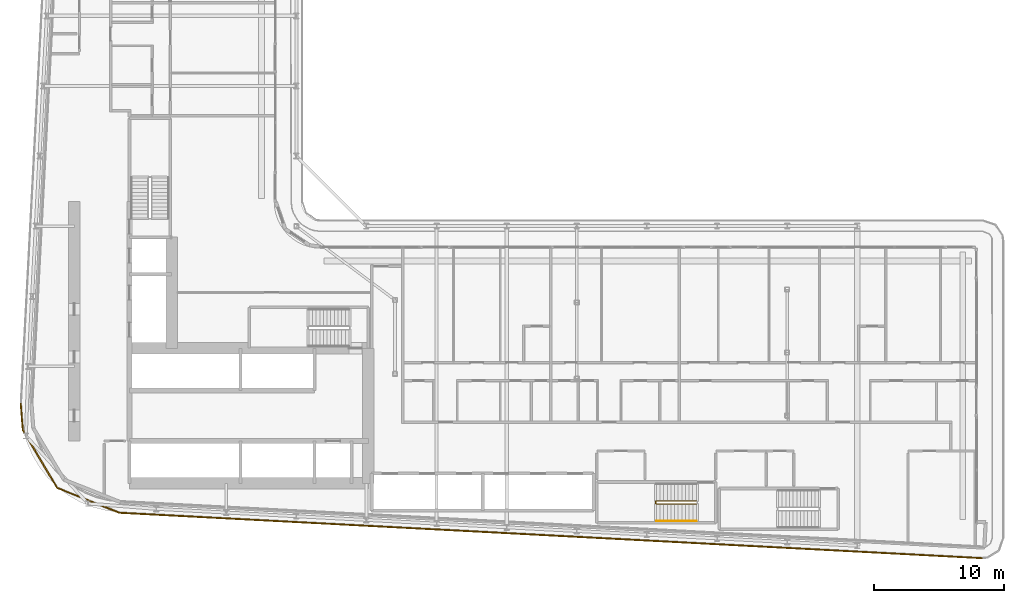
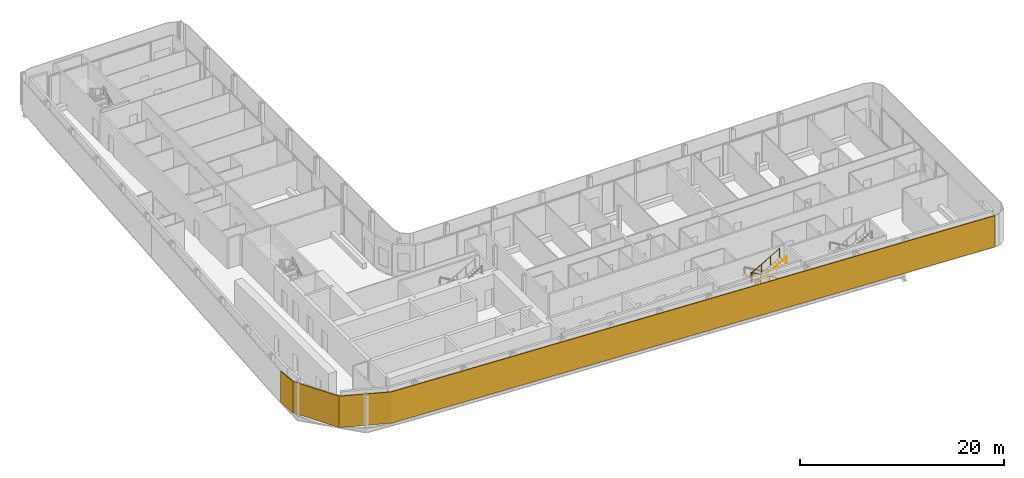
# One storey, part 23 of 27: 2 railings, 1 shading device.
"""IFC4 building model written with IfcOpenShell, lengths in metres."""

from ifc_helpers import new_model, si_unit, direction, frame, origin, origin_2d, place, context, subcontext, project, spatial, polyline, circle, outline, extrude, material, layer, layer_set, type_object, element, save


model = new_model("IFC4")

# Units and contexts
model_context = context("Model", 3, precision=1e-05, world=origin(), true_north=direction((0.0, 1.0)))
body_context = subcontext(model_context, "Body", "Model", "MODEL_VIEW")
ifc_project = project(units=[si_unit("LENGTHUNIT", "METRE"), si_unit("AREAUNIT", "SQUARE_METRE"), si_unit("VOLUMEUNIT", "CUBIC_METRE"), si_unit("PLANEANGLEUNIT", "RADIAN"), si_unit("MASSUNIT", "GRAM", prefix="KILO")], contexts=[model_context])

# Site, building, storey
site_placement = place(None, origin())
site = spatial("IfcSite", under=ifc_project, at=site_placement, CompositionType="ELEMENT")
building_placement = place(site_placement, origin())
building = spatial("IfcBuilding", under=site, at=building_placement, Name="Kheshtan School and Residences Tower", CompositionType="ELEMENT")
storey_placement = place(building_placement, frame((0.0, 0.0, 98.0)))
storey = spatial("IfcBuildingStorey", under=building, at=storey_placement, Name="L22", CompositionType="ELEMENT", Elevation=98.0)

# Shading device
ifc_material_1 = material(Name="Terracotta baguette, extruded ceramic", Category="masonry")
ifc_layer = layer(ifc_material_1, 0.10009765625)
ifc_layer_set = layer_set([ifc_layer], Name="Ledge screen, terracotta baguettes")
shading_device_type = type_object("IfcShadingDeviceType", Name="Ledge screen, terracotta baguettes", PredefinedType="USERDEFINED", material=ifc_layer_set)
shading_device_placement = place(storey_placement, origin())
element("IfcShadingDevice", 1, at=shading_device_placement, inside=storey, type_object=shading_device_type, Name="Screen L22 3", ObjectType="BAGUETTE", PredefinedType="USERDEFINED", context=body_context, shape_type="SweptSolid", body=[
    extrude(outline(polyline([(100.4208984375, 20.0830078125), (33.989013671875, 23.580078125), (29.2119140625, 25.486083984375), (26.583984375, 29.906982421875), (26.419921875, 31.989013671875), (26.320068359375, 31.98095703125), (26.486083984375, 29.8759765625), (29.14306640625, 25.406005859375), (33.967041015625, 23.48095703125), (100.416015625, 19.98291015625), (100.4208984375, 20.0830078125)])), origin(), (0.0, 0.0, 1.0), 3.75),
])

# Railings
ifc_material_2 = material(Name="Stainless steel balustrade", Category="steel")
railing_type_1 = type_object("IfcRailingType", Name="Stair guard 1100", PredefinedType="GUARDRAIL", material=ifc_material_2)
railing_1_placement = place(storey_placement, frame((78.409912109375, 24.449951171875, 0.16259765625)))
element("IfcRailing", 2, at=railing_1_placement, inside=storey, type_object=railing_type_1, Name="L22 ST5 stair guard 1", PredefinedType="GUARDRAIL", context=body_context, shape_type="SweptSolid", body=[
    extrude(circle(Radius=0.02392578125, at=origin_2d()), frame((0.0, 0.0, 1.076171875), z_axis=(-0.864903211148, 0.0, 0.501938676878), x_axis=(0.0, -1.0, 0.0)), (0.0, 0.0, 1.0), 3.560791015625),
    extrude(circle(Radius=0.02392578125, at=origin_2d()), frame((-3.079833984375, 0.0, 2.86328125), z_axis=(-0.707106781187, -0.707106781187, 0.0), x_axis=(0.707106781187, -0.707106781187, 0.0)), (0.0, 0.0, 1.0), 0.07080078125),
    extrude(circle(Radius=0.02392578125, at=origin_2d()), frame((-3.1298828125, -0.050048828125, 2.86328125), z_axis=(0.0, -1.0, 0.0), x_axis=(1.0, 0.0, 0.0)), (0.0, 0.0, 1.0), 0.14990234375),
    extrude(circle(Radius=0.02392578125, at=origin_2d()), frame((-3.1298828125, -0.199951171875, 2.86328125), z_axis=(0.282227285176, -0.282227285176, 0.916894497205), x_axis=(0.707106781187, 0.707106781187, 0.0)), (0.0, 0.0, 1.0), 0.17724609375),
    extrude(circle(Radius=0.02392578125, at=origin_2d()), frame((-3.079833984375, -0.25, 3.02587890625), z_axis=(0.864903211148, 0.0, 0.501938676878), x_axis=(0.0, 1.0, 0.0)), (0.0, 0.0, 1.0), 3.560791015625),
    extrude(circle(Radius=0.02099609375, at=origin_2d()), origin(), (0.0, 0.0, 1.0), 1.052001953125),
    extrude(circle(Radius=0.02099609375, at=origin_2d()), frame((-1.026611328125, 0.0, 0.595703125)), (0.0, 0.0, 1.0), 1.052001953125),
    extrude(circle(Radius=0.02099609375, at=origin_2d()), frame((-2.05322265625, 0.0, 1.191650390625)), (0.0, 0.0, 1.0), 1.052001953125),
    extrude(circle(Radius=0.02099609375, at=origin_2d()), frame((-3.079833984375, 0.0, 1.787353515625)), (0.0, 0.0, 1.0), 1.052001953125),
    extrude(circle(Radius=0.02099609375, at=origin_2d()), frame((-3.1298828125, -0.050048828125, 1.787353515625)), (0.0, 0.0, 1.0), 1.052001953125),
    extrude(circle(Radius=0.02099609375, at=origin_2d()), frame((-3.1298828125, -0.199951171875, 1.787353515625)), (0.0, 0.0, 1.0), 1.052001953125),
    extrude(circle(Radius=0.02099609375, at=origin_2d()), frame((-3.079833984375, -0.25, 1.949951171875)), (0.0, 0.0, 1.0), 1.052001953125),
    extrude(circle(Radius=0.02099609375, at=origin_2d()), frame((-2.05322265625, -0.25, 2.545654296875)), (0.0, 0.0, 1.0), 1.052001953125),
    extrude(circle(Radius=0.02099609375, at=origin_2d()), frame((-1.026611328125, -0.25, 3.1416015625)), (0.0, 0.0, 1.0), 1.052001953125),
    extrude(circle(Radius=0.02099609375, at=origin_2d()), frame((0.0, -0.25, 3.7373046875)), (0.0, 0.0, 1.0), 1.052001953125),
])
ifc_material_3 = material(Name="Stainless steel handrail", Category="steel")
railing_type_2 = type_object("IfcRailingType", Name="Stair handrail 900", PredefinedType="HANDRAIL", material=ifc_material_3)
railing_2_placement = place(storey_placement, frame((75.330078125, 22.89990234375, 2.112548828125)))
element("IfcRailing", 3, at=railing_2_placement, inside=storey, type_object=railing_type_2, Name="L22 ST5 stair handrail 2", PredefinedType="HANDRAIL", context=body_context, shape_type="SweptSolid", body=[
    extrude(circle(Radius=0.02392578125, at=origin_2d()), frame((0.0, 0.0, 0.8759765625), z_axis=(0.864903211148, 0.0, 0.501938676878), x_axis=(0.0, 1.0, 0.0)), (0.0, 0.0, 1.0), 3.560791015625),
    extrude(circle(Radius=0.02099609375, at=origin_2d()), origin(), (0.0, 0.0, 1.0), 0.851806640625),
    extrude(circle(Radius=0.02099609375, at=origin_2d()), frame((1.026611328125, 0.0, 0.595703125)), (0.0, 0.0, 1.0), 0.851806640625),
    extrude(circle(Radius=0.02099609375, at=origin_2d()), frame((2.05322265625, 0.0, 1.191650390625)), (0.0, 0.0, 1.0), 0.851806640625),
    extrude(circle(Radius=0.02099609375, at=origin_2d()), frame((3.079833984375, 0.0, 1.787353515625)), (0.0, 0.0, 1.0), 0.851806640625),
])

save(model, "model.ifc")
